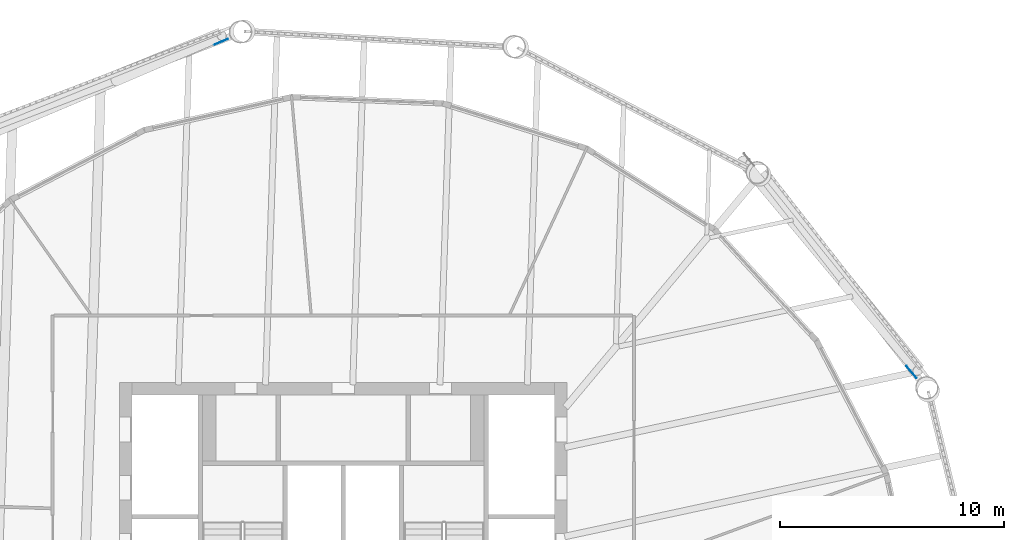
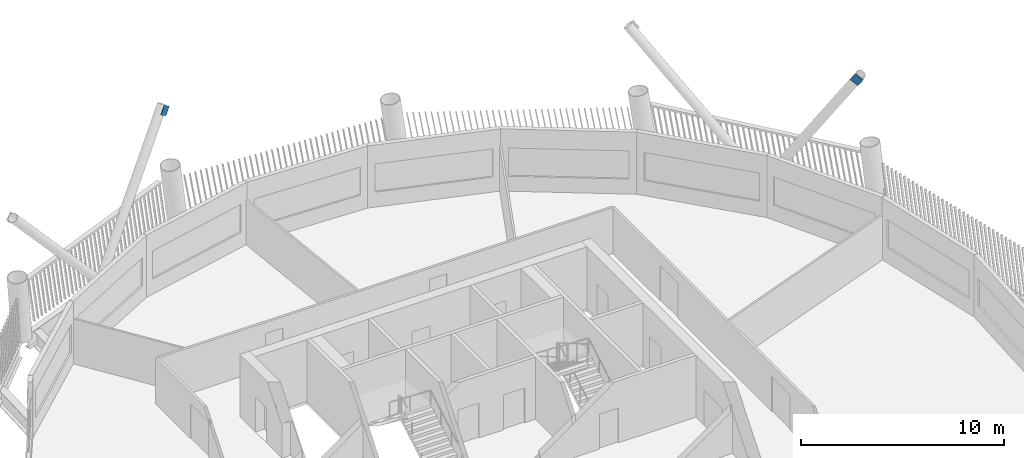
# One storey, part 13 of 21: 2 discrete accessories.
"""IFC4 building model written with IfcOpenShell, lengths in metres."""

from ifc_helpers import new_model, si_unit, direction, frame, origin, origin_2d, place, context, subcontext, project, spatial, rectangle, extrude, material, material_profile, profile_set, type_object, element, save


model = new_model("IFC4")

# Units and contexts
model_context = context("Model", 3, precision=1e-05, world=origin(), true_north=direction((0.0, 1.0)))
body_context = subcontext(model_context, "Body", "Model", "MODEL_VIEW")
ifc_project = project(units=[si_unit("LENGTHUNIT", "METRE"), si_unit("AREAUNIT", "SQUARE_METRE"), si_unit("VOLUMEUNIT", "CUBIC_METRE"), si_unit("PLANEANGLEUNIT", "RADIAN"), si_unit("MASSUNIT", "GRAM", prefix="KILO")], contexts=[model_context])

# Site, building, storey
site_placement = place(None, origin())
site = spatial("IfcSite", under=ifc_project, at=site_placement, CompositionType="ELEMENT")
building_placement = place(site_placement, origin())
building = spatial("IfcBuilding", under=site, at=building_placement, Name="Tarsis Ring Headquarters", CompositionType="ELEMENT")
storey_placement = place(building_placement, frame((0.0, 0.0, 278.60009765625)))
storey = spatial("IfcBuildingStorey", under=building, at=storey_placement, Name="L65", CompositionType="ELEMENT", Elevation=278.60009765625)

# Discrete accessories
ifc_material = material(Name="Structural steel S355", Category="steel")
ifc_material_profile = material_profile(ifc_material, rectangle(XDim=0.02490234375, YDim=0.5, at=origin_2d()), Name="PL 25x500")
ifc_profile_set = profile_set([ifc_material_profile], Name="Structural steel S355")
discrete_accessory_type = type_object("IfcDiscreteAccessoryType", Name="Gusset plate Exo brace 25", PredefinedType="BRACKET", material=ifc_profile_set)
discrete_accessory_1_placement = place(storey_placement, frame((25.497314453125, 13.365966796875, 7.7998046875), z_axis=(-0.354568573765, 0.420500746573, -0.835140855563), x_axis=(-0.764496582548, -0.644627780407, 0.0)))
element("IfcDiscreteAccessory", 1, at=discrete_accessory_1_placement, inside=storey, type_object=discrete_accessory_type, Name="Gusset plate GP5", PredefinedType="BRACKET", context=body_context, shape_type="SweptSolid", body=[
    extrude(rectangle(XDim=0.02490234375, YDim=0.5, at=origin_2d()), origin(), (0.0, 0.0, 1.0), 0.5),
])
discrete_accessory_2_placement = place(storey_placement, frame((-5.3408203125, 28.28857421875, 7.7998046875), z_axis=(-0.505535642737, -0.216379023896, -0.835232801044), x_axis=(0.393490450052, -0.919328703847, 0.0)))
element("IfcDiscreteAccessory", 2, at=discrete_accessory_2_placement, inside=storey, type_object=discrete_accessory_type, Name="Gusset plate GP5", PredefinedType="BRACKET", context=body_context, shape_type="SweptSolid", body=[
    extrude(rectangle(XDim=0.02490234375, YDim=0.5, at=origin_2d()), origin(), (0.0, 0.0, 1.0), 0.499755859375),
])

save(model, "model.ifc")
